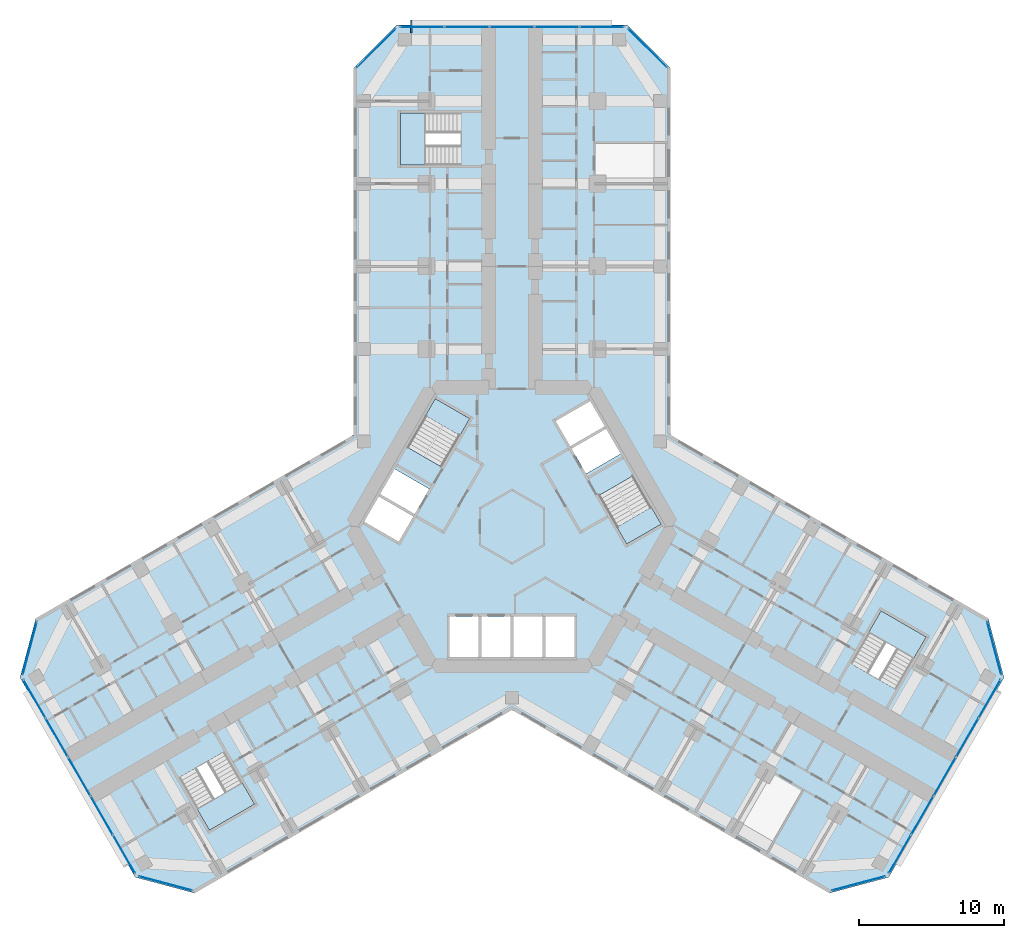
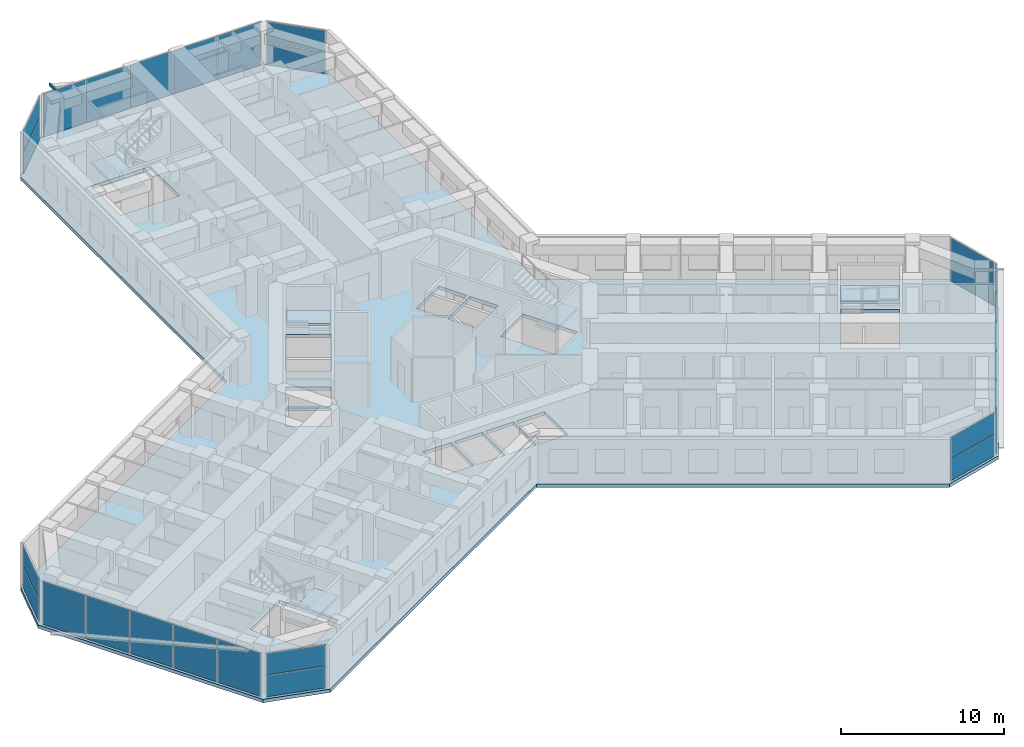
# One storey, part 9 of 21: 27 plates, 6 slabs, 1 member, 14 elements without a shape of their own.
"""IFC4 building model written with IfcOpenShell, lengths in metres."""

from ifc_helpers import new_model, si_unit, direction, frame, origin, origin_2d, place, context, subcontext, project, spatial, polyline, rectangle, hollow_rectangle, outline, extrude, material, layer, layer_set, material_profile, profile_set, type_object, element, aggregate, save


model = new_model("IFC4")

# Units and contexts
model_context = context("Model", 3, precision=1e-05, world=origin(), true_north=direction((0.0, 1.0)))
body_context = subcontext(model_context, "Body", "Model", "MODEL_VIEW")
ifc_project = project(units=[si_unit("LENGTHUNIT", "METRE"), si_unit("AREAUNIT", "SQUARE_METRE"), si_unit("VOLUMEUNIT", "CUBIC_METRE"), si_unit("PLANEANGLEUNIT", "RADIAN"), si_unit("MASSUNIT", "GRAM", prefix="KILO")], contexts=[model_context])

# Site, building, storey
site_placement = place(None, origin())
site = spatial("IfcSite", under=ifc_project, at=site_placement, CompositionType="ELEMENT")
building_placement = place(site_placement, origin())
building = spatial("IfcBuilding", under=site, at=building_placement, Name="Kosmar Iwan School Tower", CompositionType="ELEMENT")
storey_placement = place(building_placement, frame((0.0, 0.0, 106.0)))
storey = spatial("IfcBuildingStorey", under=building, at=storey_placement, Name="L26", CompositionType="ELEMENT", Elevation=106.0)

# Member
ifc_material_1 = material(Name="Steel S355", Category="steel")
ifc_material_profile = material_profile(ifc_material_1, hollow_rectangle(XDim=0.10009765625, YDim=0.199951171875, WallThickness=0.008056640625, at=origin_2d()), Name="RHS 200x100x8")
ifc_profile_set = profile_set([ifc_material_profile], Name="Steel S355")
member_type = type_object("IfcMemberType", Name="Fin bracket RHS 200x100", PredefinedType="USERDEFINED", material=ifc_profile_set)
member_placement = place(storey_placement, frame((-6.949951171875, 34.050048828125, 3.47509765625), z_axis=(0.0, 1.0, 0.0), x_axis=(-1.0, 0.0, 0.0)))
element("IfcMember", 1, at=member_placement, inside=storey, type_object=member_type, Name="Fin bracket L27", ObjectType="FIN BRACKET", PredefinedType="USERDEFINED", context=body_context, shape_type="SweptSolid", body=[
    extrude(hollow_rectangle(XDim=0.10009765625, YDim=0.199951171875, WallThickness=0.008056640625, at=origin_2d()), origin(), (0.0, 0.0, 1.0), 0.89990234375),
])

# Curtain wall, plates
ifc_material_2 = material(Name="Dark glass in black aluminium frame", Category="aluminium")
curtain_wall_type_1 = type_object("IfcCurtainWallType", Name="Chamfer curtain wall dark glass", PredefinedType="USERDEFINED", material=ifc_material_2)
curtain_wall_1_placement = place(storey_placement, origin())
curtain_wall_1 = element("IfcCurtainWall", 2, at=curtain_wall_1_placement, inside=storey, type_object=curtain_wall_type_1, Name="Curtain wall L26-F02", ObjectType="FACETED CURTAIN WALL", PredefinedType="USERDEFINED")
ifc_material_3 = material(Name="Dark glass", Category="glass")
ifc_layer_1 = layer(ifc_material_3, 0.028076171875)
ifc_layer_set_1 = layer_set([ifc_layer_1], Name="Dark glass panel 28")
plate_type = type_object("IfcPlateType", Name="Dark glass panel 28", PredefinedType="CURTAIN_PANEL", material=ifc_layer_set_1)
plate_1_placement = place(storey_placement, frame((23.908203125, -24.61328125, 0.06005859375), z_axis=(0.0, 0.0, 1.0), x_axis=(0.965925875495, 0.258818861462, 0.0)))
plate_1 = element("IfcPlate", 3, at=plate_1_placement, type_object=plate_type, Name="CW2 panel 1.1", PredefinedType="CURTAIN_PANEL", context=body_context, shape_type="SweptSolid", body=[
    extrude(rectangle(XDim=3.718994140625, YDim=0.028076171875, at=origin_2d()), origin(), (0.0, 0.0, 1.0), 1.5849609375),
])
plate_2_placement = place(storey_placement, frame((23.908203125, -24.61328125, 1.705078125), z_axis=(0.0, 0.0, 1.0), x_axis=(0.965925875495, 0.258818861462, 0.0)))
plate_2 = element("IfcPlate", 4, at=plate_2_placement, type_object=plate_type, Name="CW2 panel 1.2", PredefinedType="CURTAIN_PANEL", context=body_context, shape_type="SweptSolid", body=[
    extrude(rectangle(XDim=3.718994140625, YDim=0.028076171875, at=origin_2d()), origin(), (0.0, 0.0, 1.0), 1.5849609375),
])
aggregate(curtain_wall_1, [plate_1, plate_2])

ifc_material_4 = material(Name="Dark glass in black aluminium frame", Category="aluminium")
curtain_wall_type_2 = type_object("IfcCurtainWallType", Name="Tower curtain wall dark glass", PredefinedType="USERDEFINED", material=ifc_material_4)
curtain_wall_2_placement = place(storey_placement, origin())
curtain_wall_2 = element("IfcCurtainWall", 5, at=curtain_wall_2_placement, inside=storey, type_object=curtain_wall_type_2, Name="Curtain wall L26-F03", ObjectType="UNITISED CURTAIN WALL", PredefinedType="USERDEFINED")
plate_3_placement = place(storey_placement, frame((26.764404296875, -22.592529296875, 0.06005859375), z_axis=(0.0, 0.0, 1.0), x_axis=(0.499999997325, 0.866025405329, 0.0)))
plate_3 = element("IfcPlate", 6, at=plate_3_placement, type_object=plate_type, Name="CW1 panel 1.1", PredefinedType="CURTAIN_PANEL", context=body_context, shape_type="SweptSolid", body=[
    extrude(rectangle(XDim=3.00927734375, YDim=0.028076171875, at=origin_2d()), origin(), (0.0, 0.0, 1.0), 3.22998046875),
])
plate_4_placement = place(storey_placement, frame((28.306640625, -19.921630859375, 0.06005859375), z_axis=(0.0, 0.0, 1.0), x_axis=(0.499999997325, 0.866025405329, 0.0)))
plate_4 = element("IfcPlate", 7, at=plate_4_placement, type_object=plate_type, Name="CW1 panel 2.1", PredefinedType="CURTAIN_PANEL", context=body_context, shape_type="SweptSolid", body=[
    extrude(rectangle(XDim=3.039306640625, YDim=0.028076171875, at=origin_2d()), origin(), (0.0, 0.0, 1.0), 3.22998046875),
])
plate_5_placement = place(storey_placement, frame((29.856201171875, -17.237548828125, 0.06005859375), z_axis=(0.0, 0.0, 1.0), x_axis=(0.499999997325, 0.866025405329, 0.0)))
plate_5 = element("IfcPlate", 8, at=plate_5_placement, type_object=plate_type, Name="CW1 panel 3.1", PredefinedType="CURTAIN_PANEL", context=body_context, shape_type="SweptSolid", body=[
    extrude(rectangle(XDim=3.039306640625, YDim=0.028076171875, at=origin_2d()), origin(), (0.0, 0.0, 1.0), 3.22998046875),
])
plate_6_placement = place(storey_placement, frame((31.40576171875, -14.553466796875, 0.06005859375), z_axis=(0.0, 0.0, 1.0), x_axis=(0.499999997325, 0.866025405329, 0.0)))
plate_6 = element("IfcPlate", 9, at=plate_6_placement, type_object=plate_type, Name="CW1 panel 4.1", PredefinedType="CURTAIN_PANEL", context=body_context, shape_type="SweptSolid", body=[
    extrude(rectangle(XDim=3.039306640625, YDim=0.028076171875, at=origin_2d()), origin(), (0.0, 0.0, 1.0), 3.22998046875),
])
plate_7_placement = place(storey_placement, frame((32.947998046875, -11.88232421875, 0.06005859375), z_axis=(0.0, 0.0, 1.0), x_axis=(0.499999997325, 0.866025405329, 0.0)))
plate_7 = element("IfcPlate", 10, at=plate_7_placement, type_object=plate_type, Name="CW1 panel 5.1", PredefinedType="CURTAIN_PANEL", context=body_context, shape_type="SweptSolid", body=[
    extrude(rectangle(XDim=3.00927734375, YDim=0.028076171875, at=origin_2d()), origin(), (0.0, 0.0, 1.0), 3.22998046875),
])
aggregate(curtain_wall_2, [plate_3, plate_4, plate_5, plate_6, plate_7])

curtain_wall_3_placement = place(storey_placement, origin())
curtain_wall_3 = element("IfcCurtainWall", 11, at=curtain_wall_3_placement, inside=storey, type_object=curtain_wall_type_1, Name="Curtain wall L26-F04", ObjectType="FACETED CURTAIN WALL", PredefinedType="USERDEFINED")
plate_8_placement = place(storey_placement, frame((33.269775390625, -8.3984375, 0.06005859375), z_axis=(0.0, 0.0, 1.0), x_axis=(-0.258818861462, 0.965925875495, 0.0)))
plate_8 = element("IfcPlate", 12, at=plate_8_placement, type_object=plate_type, Name="CW2 panel 1.1", PredefinedType="CURTAIN_PANEL", context=body_context, shape_type="SweptSolid", body=[
    extrude(rectangle(XDim=3.718994140625, YDim=0.028076171875, at=origin_2d()), origin(), (0.0, 0.0, 1.0), 1.5849609375),
])
plate_9_placement = place(storey_placement, frame((33.269775390625, -8.3984375, 1.705078125), z_axis=(0.0, 0.0, 1.0), x_axis=(-0.258818861462, 0.965925875495, 0.0)))
plate_9 = element("IfcPlate", 13, at=plate_9_placement, type_object=plate_type, Name="CW2 panel 1.2", PredefinedType="CURTAIN_PANEL", context=body_context, shape_type="SweptSolid", body=[
    extrude(rectangle(XDim=3.718994140625, YDim=0.028076171875, at=origin_2d()), origin(), (0.0, 0.0, 1.0), 1.5849609375),
])
aggregate(curtain_wall_3, [plate_8, plate_9])

curtain_wall_4_placement = place(storey_placement, origin())
curtain_wall_4 = element("IfcCurtainWall", 14, at=curtain_wall_4_placement, inside=storey, type_object=curtain_wall_type_1, Name="Curtain wall L26-F07", ObjectType="FACETED CURTAIN WALL", PredefinedType="USERDEFINED")
plate_10_placement = place(storey_placement, frame((9.361572265625, 33.01171875, 0.06005859375), z_axis=(0.0, 0.0, 1.0), x_axis=(-0.707106781187, 0.707106781187, 0.0)))
plate_10 = element("IfcPlate", 15, at=plate_10_placement, type_object=plate_type, Name="CW2 panel 1.1", PredefinedType="CURTAIN_PANEL", context=body_context, shape_type="SweptSolid", body=[
    extrude(rectangle(XDim=3.718994140625, YDim=0.028076171875, at=origin_2d()), origin(), (0.0, 0.0, 1.0), 1.5849609375),
])
plate_11_placement = place(storey_placement, frame((9.361572265625, 33.01171875, 1.705078125), z_axis=(0.0, 0.0, 1.0), x_axis=(-0.707106781187, 0.707106781187, 0.0)))
plate_11 = element("IfcPlate", 16, at=plate_11_placement, type_object=plate_type, Name="CW2 panel 1.2", PredefinedType="CURTAIN_PANEL", context=body_context, shape_type="SweptSolid", body=[
    extrude(rectangle(XDim=3.718994140625, YDim=0.028076171875, at=origin_2d()), origin(), (0.0, 0.0, 1.0), 1.5849609375),
])
aggregate(curtain_wall_4, [plate_10, plate_11])

curtain_wall_5_placement = place(storey_placement, origin())
curtain_wall_5 = element("IfcCurtainWall", 17, at=curtain_wall_5_placement, inside=storey, type_object=curtain_wall_type_2, Name="Curtain wall L26-F08", ObjectType="UNITISED CURTAIN WALL", PredefinedType="USERDEFINED")
plate_12_placement = place(storey_placement, frame((6.18359375, 34.47509765625, 0.06005859375), z_axis=(0.0, 0.0, 1.0), x_axis=(-1.0, 0.0, 0.0)))
plate_12 = element("IfcPlate", 18, at=plate_12_placement, type_object=plate_type, Name="CW1 panel 1.1", PredefinedType="CURTAIN_PANEL", context=body_context, shape_type="SweptSolid", body=[
    extrude(rectangle(XDim=3.00927734375, YDim=0.028076171875, at=origin_2d()), origin(), (0.0, 0.0, 1.0), 3.22998046875),
])
plate_13_placement = place(storey_placement, frame((3.099365234375, 34.47509765625, 0.06005859375), z_axis=(0.0, 0.0, 1.0), x_axis=(-1.0, 0.0, 0.0)))
plate_13 = element("IfcPlate", 19, at=plate_13_placement, type_object=plate_type, Name="CW1 panel 2.1", PredefinedType="CURTAIN_PANEL", context=body_context, shape_type="SweptSolid", body=[
    extrude(rectangle(XDim=3.039306640625, YDim=0.028076171875, at=origin_2d()), origin(), (0.0, 0.0, 1.0), 3.22998046875),
])
plate_14_placement = place(storey_placement, frame((0.0, 34.47509765625, 0.06005859375), z_axis=(0.0, 0.0, 1.0), x_axis=(-1.0, 0.0, 0.0)))
plate_14 = element("IfcPlate", 20, at=plate_14_placement, type_object=plate_type, Name="CW1 panel 3.1", PredefinedType="CURTAIN_PANEL", context=body_context, shape_type="SweptSolid", body=[
    extrude(rectangle(XDim=3.039306640625, YDim=0.028076171875, at=origin_2d()), origin(), (0.0, 0.0, 1.0), 3.22998046875),
])
plate_15_placement = place(storey_placement, frame((-3.099365234375, 34.47509765625, 0.06005859375), z_axis=(0.0, 0.0, 1.0), x_axis=(-1.0, 0.0, 0.0)))
plate_15 = element("IfcPlate", 21, at=plate_15_placement, type_object=plate_type, Name="CW1 panel 4.1", PredefinedType="CURTAIN_PANEL", context=body_context, shape_type="SweptSolid", body=[
    extrude(rectangle(XDim=3.039306640625, YDim=0.028076171875, at=origin_2d()), origin(), (0.0, 0.0, 1.0), 3.22998046875),
])
plate_16_placement = place(storey_placement, frame((-6.18359375, 34.47509765625, 0.06005859375), z_axis=(0.0, 0.0, 1.0), x_axis=(-1.0, 0.0, 0.0)))
plate_16 = element("IfcPlate", 22, at=plate_16_placement, type_object=plate_type, Name="CW1 panel 5.1", PredefinedType="CURTAIN_PANEL", context=body_context, shape_type="SweptSolid", body=[
    extrude(rectangle(XDim=3.00927734375, YDim=0.028076171875, at=origin_2d()), origin(), (0.0, 0.0, 1.0), 3.22998046875),
])
aggregate(curtain_wall_5, [plate_12, plate_13, plate_14, plate_15, plate_16])

curtain_wall_6_placement = place(storey_placement, origin())
curtain_wall_6 = element("IfcCurtainWall", 23, at=curtain_wall_6_placement, inside=storey, type_object=curtain_wall_type_1, Name="Curtain wall L26-F09", ObjectType="FACETED CURTAIN WALL", PredefinedType="USERDEFINED")
plate_17_placement = place(storey_placement, frame((-9.361572265625, 33.01171875, 0.06005859375), z_axis=(0.0, 0.0, 1.0), x_axis=(-0.707106781187, -0.707106781187, 0.0)))
plate_17 = element("IfcPlate", 24, at=plate_17_placement, type_object=plate_type, Name="CW2 panel 1.1", PredefinedType="CURTAIN_PANEL", context=body_context, shape_type="SweptSolid", body=[
    extrude(rectangle(XDim=3.718994140625, YDim=0.028076171875, at=origin_2d()), origin(), (0.0, 0.0, 1.0), 1.5849609375),
])
plate_18_placement = place(storey_placement, frame((-9.361572265625, 33.01171875, 1.705078125), z_axis=(0.0, 0.0, 1.0), x_axis=(-0.707106781187, -0.707106781187, 0.0)))
plate_18 = element("IfcPlate", 25, at=plate_18_placement, type_object=plate_type, Name="CW2 panel 1.2", PredefinedType="CURTAIN_PANEL", context=body_context, shape_type="SweptSolid", body=[
    extrude(rectangle(XDim=3.718994140625, YDim=0.028076171875, at=origin_2d()), origin(), (0.0, 0.0, 1.0), 1.5849609375),
])
aggregate(curtain_wall_6, [plate_17, plate_18])

curtain_wall_7_placement = place(storey_placement, origin())
curtain_wall_7 = element("IfcCurtainWall", 26, at=curtain_wall_7_placement, inside=storey, type_object=curtain_wall_type_1, Name="Curtain wall L26-F12", ObjectType="FACETED CURTAIN WALL", PredefinedType="USERDEFINED")
plate_19_placement = place(storey_placement, frame((-33.269775390625, -8.3984375, 0.06005859375), z_axis=(0.0, 0.0, 1.0), x_axis=(-0.258818861462, -0.965925875495, 0.0)))
plate_19 = element("IfcPlate", 27, at=plate_19_placement, type_object=plate_type, Name="CW2 panel 1.1", PredefinedType="CURTAIN_PANEL", context=body_context, shape_type="SweptSolid", body=[
    extrude(rectangle(XDim=3.718994140625, YDim=0.028076171875, at=origin_2d()), origin(), (0.0, 0.0, 1.0), 1.5849609375),
])
plate_20_placement = place(storey_placement, frame((-33.269775390625, -8.3984375, 1.705078125), z_axis=(0.0, 0.0, 1.0), x_axis=(-0.258818861462, -0.965925875495, 0.0)))
plate_20 = element("IfcPlate", 28, at=plate_20_placement, type_object=plate_type, Name="CW2 panel 1.2", PredefinedType="CURTAIN_PANEL", context=body_context, shape_type="SweptSolid", body=[
    extrude(rectangle(XDim=3.718994140625, YDim=0.028076171875, at=origin_2d()), origin(), (0.0, 0.0, 1.0), 1.5849609375),
])
aggregate(curtain_wall_7, [plate_19, plate_20])

curtain_wall_8_placement = place(storey_placement, origin())
curtain_wall_8 = element("IfcCurtainWall", 29, at=curtain_wall_8_placement, inside=storey, type_object=curtain_wall_type_2, Name="Curtain wall L26-F13", ObjectType="UNITISED CURTAIN WALL", PredefinedType="USERDEFINED")
plate_21_placement = place(storey_placement, frame((-32.947998046875, -11.88232421875, 0.06005859375), z_axis=(0.0, 0.0, 1.0), x_axis=(0.499999997325, -0.866025405329, 0.0)))
plate_21 = element("IfcPlate", 30, at=plate_21_placement, type_object=plate_type, Name="CW1 panel 1.1", PredefinedType="CURTAIN_PANEL", context=body_context, shape_type="SweptSolid", body=[
    extrude(rectangle(XDim=3.00927734375, YDim=0.028076171875, at=origin_2d()), origin(), (0.0, 0.0, 1.0), 3.22998046875),
])
plate_22_placement = place(storey_placement, frame((-31.40576171875, -14.553466796875, 0.06005859375), z_axis=(0.0, 0.0, 1.0), x_axis=(0.499999997325, -0.866025405329, 0.0)))
plate_22 = element("IfcPlate", 31, at=plate_22_placement, type_object=plate_type, Name="CW1 panel 2.1", PredefinedType="CURTAIN_PANEL", context=body_context, shape_type="SweptSolid", body=[
    extrude(rectangle(XDim=3.039306640625, YDim=0.028076171875, at=origin_2d()), origin(), (0.0, 0.0, 1.0), 3.22998046875),
])
plate_23_placement = place(storey_placement, frame((-29.856201171875, -17.237548828125, 0.06005859375), z_axis=(0.0, 0.0, 1.0), x_axis=(0.499999997325, -0.866025405329, 0.0)))
plate_23 = element("IfcPlate", 32, at=plate_23_placement, type_object=plate_type, Name="CW1 panel 3.1", PredefinedType="CURTAIN_PANEL", context=body_context, shape_type="SweptSolid", body=[
    extrude(rectangle(XDim=3.039306640625, YDim=0.028076171875, at=origin_2d()), origin(), (0.0, 0.0, 1.0), 3.22998046875),
])
plate_24_placement = place(storey_placement, frame((-28.306640625, -19.921630859375, 0.06005859375), z_axis=(0.0, 0.0, 1.0), x_axis=(0.499999997325, -0.866025405329, 0.0)))
plate_24 = element("IfcPlate", 33, at=plate_24_placement, type_object=plate_type, Name="CW1 panel 4.1", PredefinedType="CURTAIN_PANEL", context=body_context, shape_type="SweptSolid", body=[
    extrude(rectangle(XDim=3.039306640625, YDim=0.028076171875, at=origin_2d()), origin(), (0.0, 0.0, 1.0), 3.22998046875),
])
plate_25_placement = place(storey_placement, frame((-26.764404296875, -22.592529296875, 0.06005859375), z_axis=(0.0, 0.0, 1.0), x_axis=(0.499999997325, -0.866025405329, 0.0)))
plate_25 = element("IfcPlate", 34, at=plate_25_placement, type_object=plate_type, Name="CW1 panel 5.1", PredefinedType="CURTAIN_PANEL", context=body_context, shape_type="SweptSolid", body=[
    extrude(rectangle(XDim=3.00927734375, YDim=0.028076171875, at=origin_2d()), origin(), (0.0, 0.0, 1.0), 3.22998046875),
])
aggregate(curtain_wall_8, [plate_21, plate_22, plate_23, plate_24, plate_25])

curtain_wall_9_placement = place(storey_placement, origin())
curtain_wall_9 = element("IfcCurtainWall", 35, at=curtain_wall_9_placement, inside=storey, type_object=curtain_wall_type_1, Name="Curtain wall L26-F14", ObjectType="FACETED CURTAIN WALL", PredefinedType="USERDEFINED")
plate_26_placement = place(storey_placement, frame((-23.908203125, -24.61328125, 0.06005859375), z_axis=(0.0, 0.0, 1.0), x_axis=(0.965925875495, -0.258818861462, 0.0)))
plate_26 = element("IfcPlate", 36, at=plate_26_placement, type_object=plate_type, Name="CW2 panel 1.1", PredefinedType="CURTAIN_PANEL", context=body_context, shape_type="SweptSolid", body=[
    extrude(rectangle(XDim=3.718994140625, YDim=0.028076171875, at=origin_2d()), origin(), (0.0, 0.0, 1.0), 1.5849609375),
])
plate_27_placement = place(storey_placement, frame((-23.908203125, -24.61328125, 1.705078125), z_axis=(0.0, 0.0, 1.0), x_axis=(0.965925875495, -0.258818861462, 0.0)))
plate_27 = element("IfcPlate", 37, at=plate_27_placement, type_object=plate_type, Name="CW2 panel 1.2", PredefinedType="CURTAIN_PANEL", context=body_context, shape_type="SweptSolid", body=[
    extrude(rectangle(XDim=3.718994140625, YDim=0.028076171875, at=origin_2d()), origin(), (0.0, 0.0, 1.0), 1.5849609375),
])
aggregate(curtain_wall_9, [plate_26, plate_27])

# Stair, slab
ifc_material_5 = material(Name="Concrete C35/45", Category="concrete")
stair_type_1 = type_object("IfcStairType", Name="Escape stair 3600", PredefinedType="HALF_TURN_STAIR", material=ifc_material_5)
stair_1_placement = place(storey_placement, origin())
stair_1 = element("IfcStair", 38, at=stair_1_placement, inside=storey, type_object=stair_type_1, Name="Stair WS1 L26", PredefinedType="HALF_TURN_STAIR")
ifc_material_6 = material(Name="Concrete C35/45", Category="concrete")
ifc_layer_2 = layer(ifc_material_6, 0.199951171875)
ifc_layer_set_2 = layer_set([ifc_layer_2], Name="Escape stair landing 200")
slab_type_1 = type_object("IfcSlabType", Name="Escape stair landing 200", PredefinedType="LANDING", material=ifc_layer_set_2)
slab_1_placement = place(storey_placement, frame((0.0, 0.0, 1.60009765625)))
slab_1 = element("IfcSlab", 39, at=slab_1_placement, type_object=slab_type_1, Name="WS1 landing 1", PredefinedType="LANDING", context=body_context, shape_type="SweptSolid", body=[
    extrude(outline(polyline([(-6.0, 24.949951171875), (-6.0, 28.550048828125), (-7.699951171875, 28.550048828125), (-7.699951171875, 24.949951171875), (-6.0, 24.949951171875)])), origin(), (0.0, 0.0, 1.0), 0.199951171875),
])
aggregate(stair_1, [slab_1])

stair_2_placement = place(storey_placement, origin())
stair_2 = element("IfcStair", 40, at=stair_2_placement, inside=storey, type_object=stair_type_1, Name="Stair WS2 L26", PredefinedType="HALF_TURN_STAIR")
slab_2_placement = place(storey_placement, frame((0.0, 0.0, 1.60009765625)))
slab_2 = element("IfcSlab", 41, at=slab_2_placement, type_object=slab_type_1, Name="WS2 landing 1", PredefinedType="LANDING", context=body_context, shape_type="SweptSolid", body=[
    extrude(outline(polyline([(-18.607421875, -17.671142578125), (-21.72509765625, -19.47119140625), (-20.875, -20.943359375), (-17.75732421875, -19.143310546875), (-18.607421875, -17.671142578125)])), origin(), (0.0, 0.0, 1.0), 0.199951171875),
])
aggregate(stair_2, [slab_2])

stair_3_placement = place(storey_placement, origin())
stair_3 = element("IfcStair", 42, at=stair_3_placement, inside=storey, type_object=stair_type_1, Name="Stair WS3 L26", PredefinedType="HALF_TURN_STAIR")
slab_3_placement = place(storey_placement, frame((0.0, 0.0, 1.60009765625)))
slab_3 = element("IfcSlab", 43, at=slab_3_placement, type_object=slab_type_1, Name="WS3 landing 1", PredefinedType="LANDING", context=body_context, shape_type="SweptSolid", body=[
    extrude(outline(polyline([(24.607421875, -7.27880859375), (27.72509765625, -9.078857421875), (28.574951171875, -7.606689453125), (25.457275390625, -5.806640625), (24.607421875, -7.27880859375)])), origin(), (0.0, 0.0, 1.0), 0.199951171875),
])
aggregate(stair_3, [slab_3])

# Slab
ifc_material_7 = material(Name="Concrete C35/45", Category="concrete")
ifc_layer_3 = layer(ifc_material_7, 0.25)
ifc_layer_set_3 = layer_set([ifc_layer_3], Name="Floor slab 250")
slab_type_2 = type_object("IfcSlabType", Name="Floor slab 250", PredefinedType="FLOOR", material=ifc_layer_set_3)
slab_4_placement = place(storey_placement, frame((0.0, 0.0, -0.25)))
element("IfcSlab", 44, at=slab_4_placement, inside=storey, type_object=slab_type_2, Name="L26 floor slab", PredefinedType="FLOOR", context=body_context, shape_type="SweptSolid", body=[
    extrude(outline(polyline([(-21.891357421875, -25.282958984375), (0.0, -12.64404296875), (21.891357421875, -25.282958984375), (25.989501953125, -24.184814453125), (33.939453125, -10.4150390625), (32.84130859375, -6.317138671875), (10.949951171875, 6.322021484375), (10.949951171875, 31.60009765625), (7.949951171875, 34.60009765625), (-7.949951171875, 34.60009765625), (-10.949951171875, 31.60009765625), (-10.949951171875, 6.322021484375), (-32.84130859375, -6.317138671875), (-33.939453125, -10.4150390625), (-25.989501953125, -24.184814453125), (-21.891357421875, -25.282958984375)]), holes=[polyline([(7.91259765625, -1.205078125), (10.294189453125, 0.169921875), (8.3642578125, 3.5126953125), (5.982666015625, 2.1376953125), (7.91259765625, -1.205078125)]), polyline([(-2.91259765625, 7.455078125), (-5.294189453125, 8.830078125), (-7.22412109375, 5.4873046875), (-4.8427734375, 4.1123046875), (-2.91259765625, 7.455078125)]), polyline([(-5.712646484375, 2.60546875), (-8.09423828125, 3.98046875), (-9.09423828125, 2.248291015625), (-6.712646484375, 0.873291015625), (-5.712646484375, 2.60546875)]), polyline([(-6.812744140625, 0.7001953125), (-9.1943359375, 2.0751953125), (-10.1943359375, 0.343017578125), (-7.812744140625, -1.031982421875), (-6.812744140625, 0.7001953125)]), polyline([(5.112548828125, 3.64453125), (7.494140625, 5.01953125), (6.494140625, 6.751708984375), (4.112548828125, 5.376708984375), (5.112548828125, 3.64453125)]), polyline([(4.0126953125, 5.5498046875), (6.394287109375, 6.9248046875), (5.394287109375, 8.656982421875), (3.0126953125, 7.281982421875), (4.0126953125, 5.5498046875)]), polyline([(-4.300048828125, -6.199951171875), (-4.300048828125, -9.0), (-2.300048828125, -9.0), (-2.300048828125, -6.199951171875), (-4.300048828125, -6.199951171875)]), polyline([(-2.10009765625, -6.199951171875), (-2.10009765625, -9.0), (-0.10009765625, -9.0), (-0.10009765625, -6.199951171875), (-2.10009765625, -6.199951171875)]), polyline([(0.10009765625, -6.199951171875), (0.10009765625, -9.0), (2.10009765625, -9.0), (2.10009765625, -6.199951171875), (0.10009765625, -6.199951171875)]), polyline([(2.300048828125, -6.199951171875), (2.300048828125, -9.0), (4.300048828125, -9.0), (4.300048828125, -6.199951171875), (2.300048828125, -6.199951171875)]), polyline([(-3.52001953125, 24.949951171875), (-3.52001953125, 28.550048828125), (-7.699951171875, 28.550048828125), (-7.699951171875, 24.949951171875), (-3.52001953125, 24.949951171875)]), polyline([(-19.847412109375, -15.5234375), (-22.965087890625, -17.323486328125), (-20.875, -20.943359375), (-17.75732421875, -19.143310546875), (-19.847412109375, -15.5234375)]), polyline([(23.367431640625, -9.426513671875), (26.485107421875, -11.2265625), (28.574951171875, -7.606689453125), (25.457275390625, -5.806640625), (23.367431640625, -9.426513671875)])]), origin(), (0.0, 0.0, 1.0), 0.25),
])

# Stair, slab
ifc_material_8 = material(Name="Concrete C35/45", Category="concrete")
stair_type_2 = type_object("IfcStairType", Name="Core stair 2750", PredefinedType="HALF_TURN_STAIR", material=ifc_material_8)
stair_4_placement = place(storey_placement, origin())
stair_4 = element("IfcStair", 45, at=stair_4_placement, inside=storey, type_object=stair_type_2, Name="Stair ST2 L26", PredefinedType="HALF_TURN_STAIR")
ifc_material_9 = material(Name="Concrete C35/45", Category="concrete")
ifc_layer_4 = layer(ifc_material_9, 0.199951171875)
ifc_layer_set_4 = layer_set([ifc_layer_4], Name="Stair landing 200")
slab_type_3 = type_object("IfcSlabType", Name="Stair landing 200", PredefinedType="LANDING", material=ifc_layer_set_4)
slab_5_placement = place(storey_placement, frame((0.0, 0.0, 1.60009765625)))
slab_5 = element("IfcSlab", 46, at=slab_5_placement, type_object=slab_type_3, Name="ST2 landing 1", PredefinedType="LANDING", context=body_context, shape_type="SweptSolid", body=[
    extrude(outline(polyline([(-2.91259765625, 7.455078125), (-5.294189453125, 8.830078125), (-5.97412109375, 7.65234375), (-3.5927734375, 6.27734375), (-2.91259765625, 7.455078125)])), origin(), (0.0, 0.0, 1.0), 0.199951171875),
])
aggregate(stair_4, [slab_5])

stair_5_placement = place(storey_placement, origin())
stair_5 = element("IfcStair", 47, at=stair_5_placement, inside=storey, type_object=stair_type_2, Name="Stair ST1 L26", PredefinedType="HALF_TURN_STAIR")
slab_6_placement = place(storey_placement, frame((0.0, 0.0, 1.60009765625)))
slab_6 = element("IfcSlab", 48, at=slab_6_placement, type_object=slab_type_3, Name="ST1 landing 1", PredefinedType="LANDING", context=body_context, shape_type="SweptSolid", body=[
    extrude(outline(polyline([(7.91259765625, -1.205078125), (10.294189453125, 0.169921875), (9.6142578125, 1.34765625), (7.232666015625, -0.02734375), (7.91259765625, -1.205078125)])), origin(), (0.0, 0.0, 1.0), 0.199951171875),
])
aggregate(stair_5, [slab_6])

save(model, "model.ifc")
